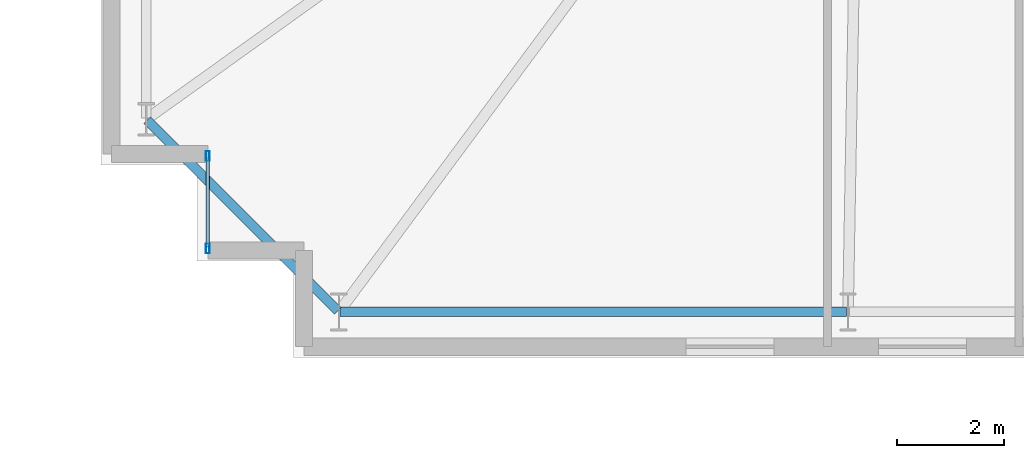
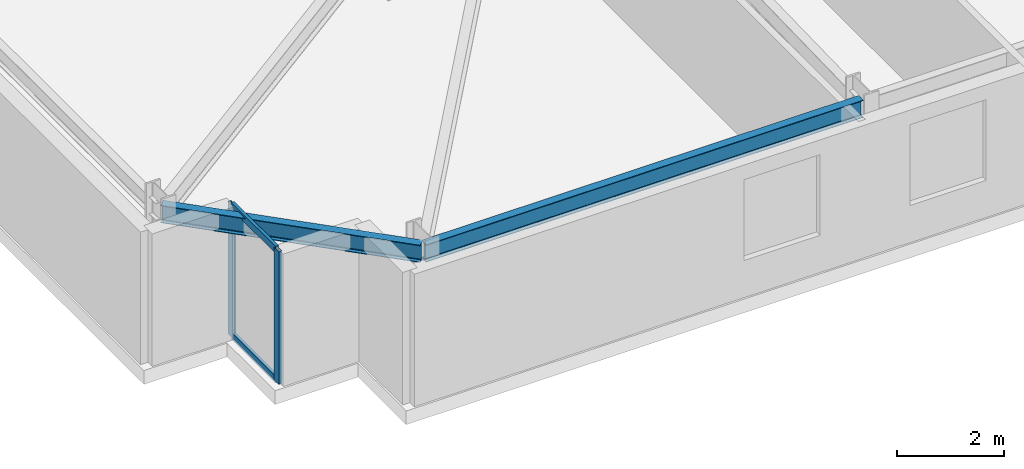
# One storey, part 4 of 22: 4 members, 2 beams, 1 element without a shape of its own.
"""IFC4 building model written with IfcOpenShell, lengths in metres."""

from ifc_helpers import new_model, si_unit, direction, frame, origin, origin_2d, place, context, subcontext, project, spatial, hollow_rectangle, i_section, extrude, material, layer, layer_set, material_profile, profile_set, type_object, element, aggregate, save


model = new_model("IFC4")

# Units and contexts
model_context = context("Model", 3, precision=1e-05, world=origin(), true_north=direction((0.0, 1.0)))
body_context = subcontext(model_context, "Body", "Model", "MODEL_VIEW")
ifc_project = project(units=[si_unit("LENGTHUNIT", "METRE"), si_unit("AREAUNIT", "SQUARE_METRE"), si_unit("VOLUMEUNIT", "CUBIC_METRE"), si_unit("PLANEANGLEUNIT", "RADIAN"), si_unit("MASSUNIT", "GRAM", prefix="KILO")], contexts=[model_context])

# Site, building, storey
site_placement = place(None, origin())
site = spatial("IfcSite", under=ifc_project, at=site_placement, CompositionType="ELEMENT")
building_placement = place(site_placement, origin())
building = spatial("IfcBuilding", under=site, at=building_placement, Name="Qobustan Lattice House", CompositionType="ELEMENT")
storey_placement = place(building_placement, frame((0.0, 0.0, 33.699951171875)))
storey = spatial("IfcBuildingStorey", under=building, at=storey_placement, Name="L08", CompositionType="ELEMENT", Elevation=33.699951171875)

# Beams
ifc_material_1 = material(Name="Steel S355", Category="steel")
ifc_material_profile_1 = material_profile(ifc_material_1, i_section(OverallWidth=0.179931640625, OverallDepth=0.39990234375, WebThickness=0.008544921875, FlangeThickness=0.013427734375, FilletRadius=0.02099609375, at=origin_2d()), Name="IPE400")
ifc_profile_set_1 = profile_set([ifc_material_profile_1], Name="Steel S355")
beam_type = type_object("IfcBeamType", Name="BM-SPD-IPE400", PredefinedType="SPANDREL", material=ifc_profile_set_1)
beam_1_placement = place(storey_placement, frame((-28.52490234375, -18.75, 2.8349609375), z_axis=(1.0, 0.0, 0.0), x_axis=(0.0, 1.0, 0.0)))
element("IfcBeam", 1, at=beam_1_placement, inside=storey, type_object=beam_type, Name="L08 perimeter spandrel S1-S2", PredefinedType="SPANDREL", context=body_context, shape_type="SweptSolid", body=[
    extrude(i_section(OverallWidth=0.179931640625, OverallDepth=0.39990234375, WebThickness=0.008544921875, FlangeThickness=0.013427734375, FilletRadius=0.02099609375, at=origin_2d()), origin(), (0.0, 0.0, 1.0), 9.466552734375),
])
beam_2_placement = place(storey_placement, frame((-32.13232421875, -15.167724609375, 2.8349609375), z_axis=(0.707106781187, -0.707106781187, 0.0), x_axis=(0.707106781187, 0.707106781187, 0.0)))
element("IfcBeam", 2, at=beam_2_placement, inside=storey, type_object=beam_type, Name="L08 perimeter spandrel W4-S1", PredefinedType="SPANDREL", context=body_context, shape_type="SweptSolid", body=[
    extrude(i_section(OverallWidth=0.179931640625, OverallDepth=0.39990234375, WebThickness=0.008544921875, FlangeThickness=0.013427734375, FilletRadius=0.02099609375, at=origin_2d()), origin(), (0.0, 0.0, 1.0), 5.041259765625),
])

# Curtain wall, members
ifc_material_2 = material(Name="Anodised aluminium and low-E glazing", Category="aluminium")
ifc_layer = layer(ifc_material_2, 0.219970703125)
ifc_layer_set = layer_set([ifc_layer], Name="Anodised aluminium and low-E glazing")
curtain_wall_type = type_object("IfcCurtainWallType", Name="CW-FAC-01", PredefinedType="USERDEFINED", material=ifc_layer_set)
curtain_wall_placement = place(storey_placement, origin())
curtain_wall = element("IfcCurtainWall", 3, at=curtain_wall_placement, inside=storey, type_object=curtain_wall_type, Name="L08 serrated corner faceted glazing 3", ObjectType="CURTAIN WALL", PredefinedType="USERDEFINED")
ifc_material_3 = material(Name="Anodised aluminium EN AW-6063 T6", Category="aluminium")
ifc_material_profile_2 = material_profile(ifc_material_3, hollow_rectangle(XDim=0.070068359375, YDim=0.179931640625, WallThickness=0.00439453125, at=origin_2d()), Name="CWM-180x70")
ifc_profile_set_2 = profile_set([ifc_material_profile_2], Name="Anodised aluminium EN AW-6063 T6")
member_type_1 = type_object("IfcMemberType", Name="CWM-STD-180", PredefinedType="MULLION", material=ifc_profile_set_2)
member_1_placement = place(storey_placement, frame((-31.0, -17.56494140625, 0.0), z_axis=(0.0, 0.0, 1.0), x_axis=(-1.0, 0.0, 0.0)))
member_1 = element("IfcMember", 4, at=member_1_placement, type_object=member_type_1, Name="CW-F1 mullion 1", PredefinedType="MULLION", context=body_context, shape_type="SweptSolid", body=[
    extrude(hollow_rectangle(XDim=0.070068359375, YDim=0.179931640625, WallThickness=0.00439453125, at=origin_2d()), origin(), (0.0, 0.0, 1.0), 3.03515625),
])
member_2_placement = place(storey_placement, frame((-31.0, -15.8349609375, 0.0), z_axis=(0.0, 0.0, 1.0), x_axis=(-1.0, 0.0, 0.0)))
member_2 = element("IfcMember", 5, at=member_2_placement, type_object=member_type_1, Name="CW-F1 mullion 2", PredefinedType="MULLION", context=body_context, shape_type="SweptSolid", body=[
    extrude(hollow_rectangle(XDim=0.070068359375, YDim=0.179931640625, WallThickness=0.00439453125, at=origin_2d()), origin(), (0.0, 0.0, 1.0), 3.03515625),
])
ifc_material_4 = material(Name="Anodised aluminium EN AW-6063 T6", Category="aluminium")
ifc_material_profile_3 = material_profile(ifc_material_4, hollow_rectangle(XDim=0.06494140625, YDim=0.159912109375, WallThickness=0.00390625, at=origin_2d()), Name="CWT-160x65")
ifc_profile_set_3 = profile_set([ifc_material_profile_3], Name="Anodised aluminium EN AW-6063 T6")
member_type_2 = type_object("IfcMemberType", Name="CWT-HOR-160", PredefinedType="USERDEFINED", material=ifc_profile_set_3)
member_3_placement = place(storey_placement, frame((-31.0, -17.530029296875, 0.032470703125), z_axis=(0.0, 1.0, 0.0), x_axis=(-1.0, 0.0, 0.0)))
member_3 = element("IfcMember", 6, at=member_3_placement, type_object=member_type_2, Name="CW-F1 transom 1.1", ObjectType="TRANSOM", PredefinedType="USERDEFINED", context=body_context, shape_type="SweptSolid", body=[
    extrude(hollow_rectangle(XDim=0.06494140625, YDim=0.159912109375, WallThickness=0.00390625, at=origin_2d()), origin(), (0.0, 0.0, 1.0), 1.659912109375),
])
member_4_placement = place(storey_placement, frame((-31.0, -17.530029296875, 3.00244140625), z_axis=(0.0, 1.0, 0.0), x_axis=(-1.0, 0.0, 0.0)))
member_4 = element("IfcMember", 7, at=member_4_placement, type_object=member_type_2, Name="CW-F1 transom 1.2", ObjectType="TRANSOM", PredefinedType="USERDEFINED", context=body_context, shape_type="SweptSolid", body=[
    extrude(hollow_rectangle(XDim=0.06494140625, YDim=0.159912109375, WallThickness=0.00390625, at=origin_2d()), origin(), (0.0, 0.0, 1.0), 1.659912109375),
])
aggregate(curtain_wall, [member_1, member_2, member_3, member_4])

save(model, "model.ifc")
